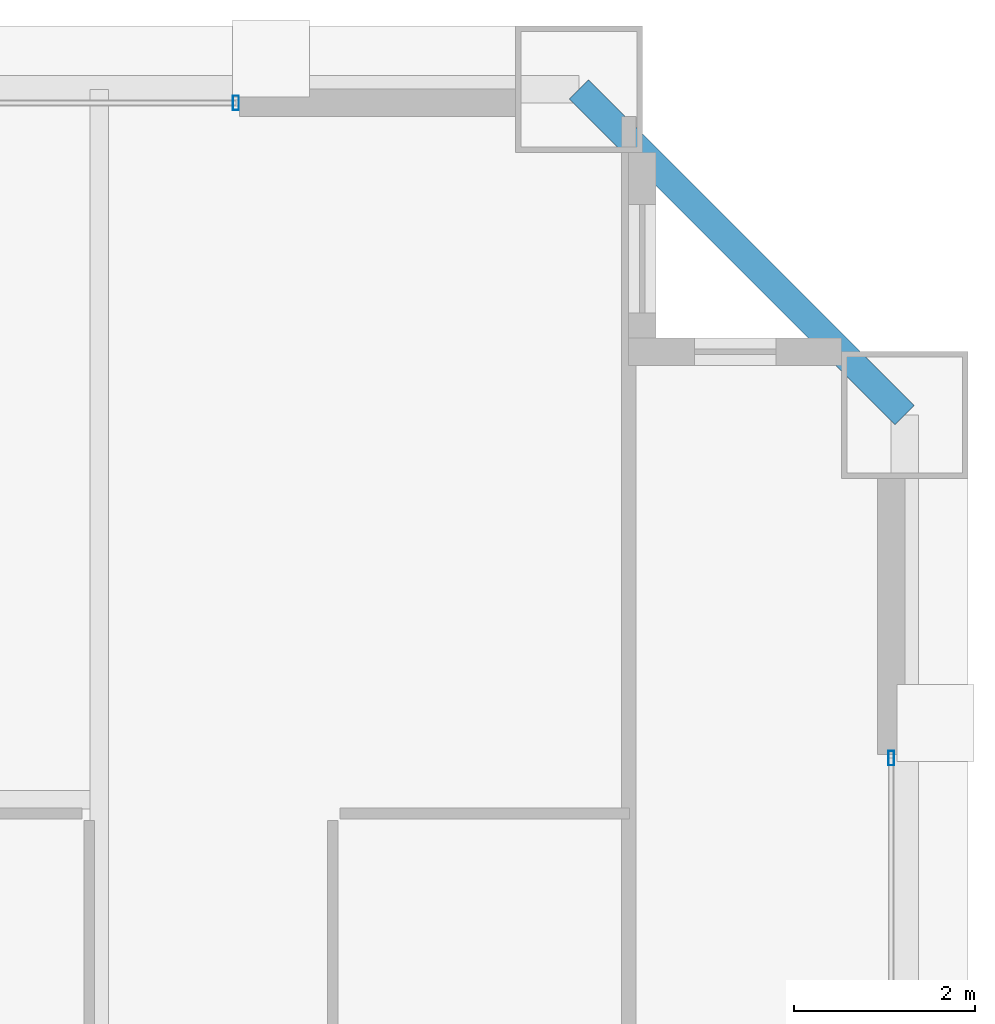
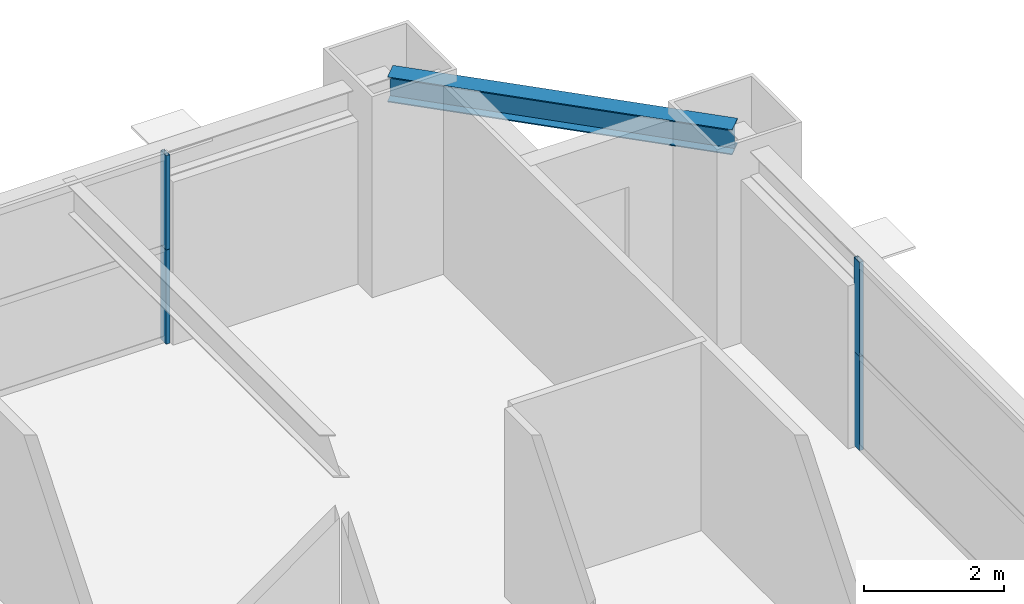
# One storey, part 31 of 38: 4 members, 1 beam, 2 elements without a shape of their own.
"""IFC4 building model written with IfcOpenShell, lengths in metres."""

from ifc_helpers import new_model, si_unit, direction, frame, origin, origin_2d, place, context, subcontext, project, spatial, hollow_rectangle, i_section, extrude, source, transform, mapped, material, layer, layer_set, material_profile, profile_set, type_object, element, aggregate, save


model = new_model("IFC4")

# Units and contexts
model_context = context("Model", 3, precision=1e-05, world=origin(), true_north=direction((0.0, 1.0)))
body_context = subcontext(model_context, "Body", "Model", "MODEL_VIEW")
ifc_project = project(units=[si_unit("LENGTHUNIT", "METRE"), si_unit("AREAUNIT", "SQUARE_METRE"), si_unit("VOLUMEUNIT", "CUBIC_METRE"), si_unit("PLANEANGLEUNIT", "RADIAN"), si_unit("MASSUNIT", "GRAM", prefix="KILO"), si_unit("THERMODYNAMICTEMPERATUREUNIT", "KELVIN"), si_unit("POWERUNIT", "WATT")], contexts=[model_context])

# Site, building, storey
site_placement = place(None, origin())
site = spatial("IfcSite", under=ifc_project, at=site_placement, CompositionType="ELEMENT")
building_placement = place(site_placement, origin())
building = spatial("IfcBuilding", under=site, at=building_placement, Name="Yuzanri Waterfront Tower", CompositionType="ELEMENT")
storey_placement = place(building_placement, frame((0.0, 0.0, 181.0)))
storey = spatial("IfcBuildingStorey", under=building, at=storey_placement, Name="L47", CompositionType="ELEMENT", Elevation=181.0)

# Beam
ifc_material_1 = material(Name="Steel Q355B", Category="steel")
ifc_material_profile_1 = material_profile(ifc_material_1, i_section(OverallWidth=0.300048828125, OverallDepth=0.43994140625, WebThickness=0.010986328125, FlangeThickness=0.01806640625, at=origin_2d()), Name="HM 440x300x11x18")
ifc_profile_set_1 = profile_set([ifc_material_profile_1], Name="Steel Q355B")
beam_type = type_object("IfcBeamType", Name="Perimeter Spandrel Q355B HM 440x300", PredefinedType="SPANDREL", material=ifc_profile_set_1)
shared_shape_1 = source(origin(), body_context, "Body", "SweptSolid", [
    extrude(i_section(OverallWidth=0.300048828125, OverallDepth=0.43994140625, WebThickness=0.010986328125, FlangeThickness=0.01806640625, at=origin_2d()), origin(), (0.0, 0.0, 1.0), 5.091064453125),
])
beam_placement = place(storey_placement, frame((59.10009765625, 44.300048828125, 3.06005859375), z_axis=(-0.707130757816, 0.707082803744, 0.0), x_axis=(-0.707082803744, -0.707130757816, 0.0)))
element("IfcBeam", 1, at=beam_placement, inside=storey, type_object=beam_type, Name="L47 Perimeter Spandrel E3-N3", PredefinedType="SPANDREL", context=body_context, shape_type="MappedRepresentation", body=[
    mapped(shared_shape_1, transform((0.0, 0.0, 0.0), scale=1.0)),
])

# Curtain wall, members
ifc_material_2 = material(Name="Anodized Architectural Bronze", Category="metal")
ifc_layer = layer(ifc_material_2, 0.159912109375)
ifc_layer_set = layer_set([ifc_layer], Name="Anodized Architectural Bronze")
curtain_wall_type = type_object("IfcCurtainWallType", Name="Anodized Bronze Mid-Rise Residential Acoustic Unitized Curtain Wall 7200", PredefinedType="NOTDEFINED", material=ifc_layer_set)
curtain_wall_1_placement = place(storey_placement, origin())
curtain_wall_1 = element("IfcCurtainWall", 2, at=curtain_wall_1_placement, inside=storey, type_object=curtain_wall_type, Name="L47 Curtain Wall CW-L47-NR", PredefinedType="NOTDEFINED")
ifc_material_3 = material(Name="Anodized Architectural Bronze", Category="metal")
ifc_material_profile_2 = material_profile(ifc_material_3, hollow_rectangle(XDim=0.06494140625, YDim=0.159912109375, WallThickness=0.00341796875, at=origin_2d()), Name="CWM 65x160")
ifc_profile_set_2 = profile_set([ifc_material_profile_2], Name="Anodized Architectural Bronze")
member_type = type_object("IfcMemberType", Name="Anodized Bronze Upper-Zone Curtain-Wall Mullion 65x160", PredefinedType="MULLION", material=ifc_profile_set_2)
shared_shape_2 = source(origin(), body_context, "Body", "SweptSolid", [
    extrude(hollow_rectangle(XDim=0.06494140625, YDim=0.159912109375, WallThickness=0.00341796875, at=origin_2d()), origin(), (0.0, 0.0, 1.0), 1.637939453125),
])
member_1_placement = place(storey_placement, frame((51.7099609375, 47.75, 0.0), z_axis=(0.0, 0.0, 1.0), x_axis=(1.0, 0.0, 0.0)))
member_1 = element("IfcMember", 3, at=member_1_placement, type_object=member_type, Name="CW-L47-NR Lower Mullion 02", PredefinedType="MULLION", context=body_context, shape_type="MappedRepresentation", body=[
    mapped(shared_shape_2, transform((0.0, 0.0, 0.0), scale=1.0)),
])
member_2_placement = place(storey_placement, frame((51.7099609375, 47.75, 1.64208984375), z_axis=(0.0, 0.0, 1.0), x_axis=(1.0, 0.0, 0.0)))
member_2 = element("IfcMember", 4, at=member_2_placement, type_object=member_type, Name="CW-L47-NR Upper Mullion 02", PredefinedType="MULLION", context=body_context, shape_type="MappedRepresentation", body=[
    mapped(shared_shape_2, transform((0.0, 0.0, 0.0), scale=1.0)),
])
aggregate(curtain_wall_1, [member_1, member_2])

curtain_wall_2_placement = place(storey_placement, origin())
curtain_wall_2 = element("IfcCurtainWall", 5, at=curtain_wall_2_placement, inside=storey, type_object=curtain_wall_type, Name="L47 Curtain Wall CW-L47-ER", PredefinedType="NOTDEFINED")
member_3_placement = place(storey_placement, frame((58.949951171875, 40.510009765625, 0.0), z_axis=(0.0, 0.0, 1.0), x_axis=(1.0, 0.0, 0.0)))
member_3 = element("IfcMember", 6, at=member_3_placement, type_object=member_type, Name="CW-L47-ER Lower Mullion 02", PredefinedType="MULLION", context=body_context, shape_type="MappedRepresentation", body=[
    mapped(shared_shape_2, transform((0.0, 0.0, 0.0), scale=1.0)),
])
member_4_placement = place(storey_placement, frame((58.949951171875, 40.510009765625, 1.64208984375), z_axis=(0.0, 0.0, 1.0), x_axis=(1.0, 0.0, 0.0)))
member_4 = element("IfcMember", 7, at=member_4_placement, type_object=member_type, Name="CW-L47-ER Upper Mullion 02", PredefinedType="MULLION", context=body_context, shape_type="MappedRepresentation", body=[
    mapped(shared_shape_2, transform((0.0, 0.0, 0.0), scale=1.0)),
])
aggregate(curtain_wall_2, [member_3, member_4])

save(model, "model.ifc")
